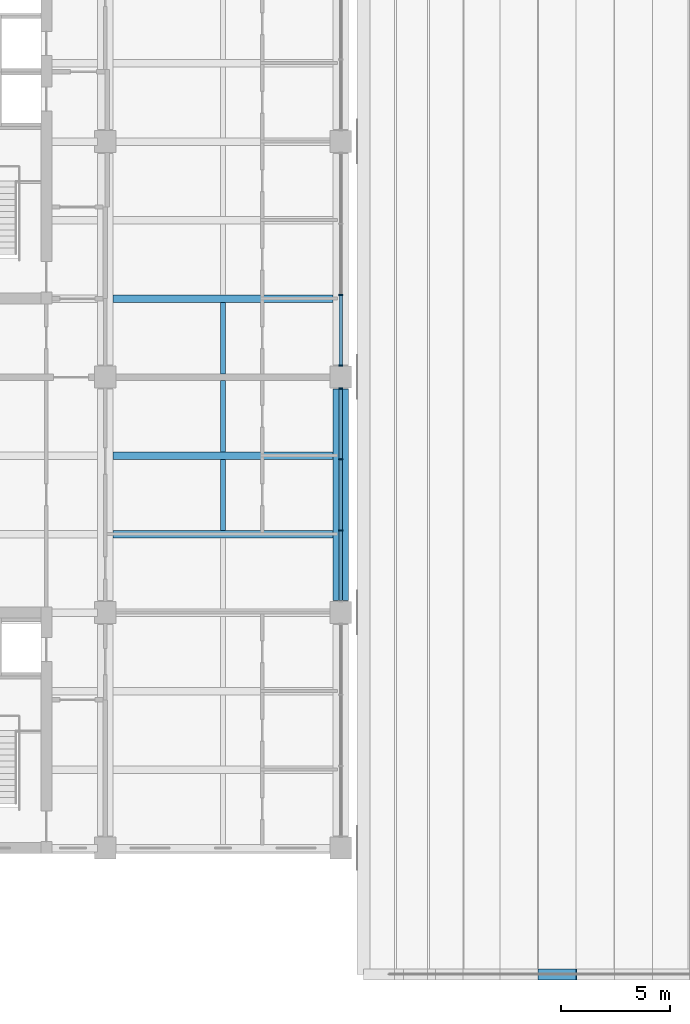
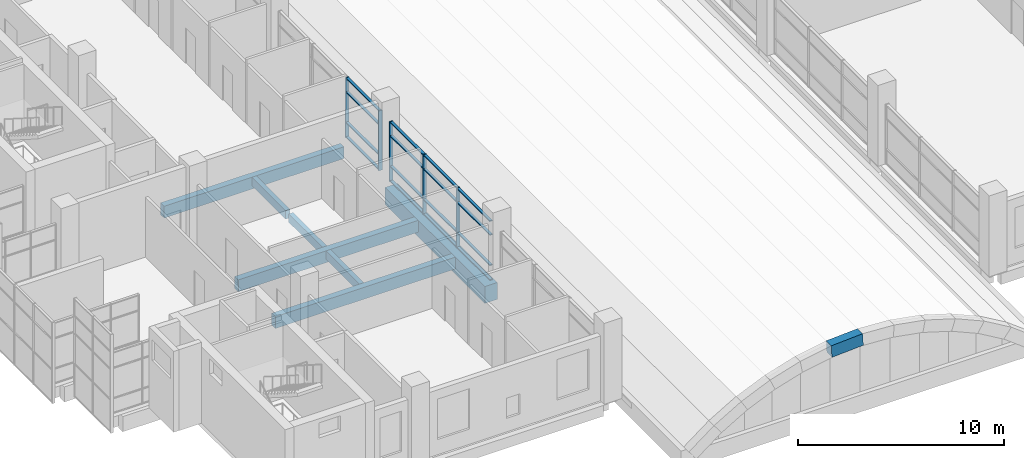
# One storey, part 5 of 45: 21 members, 8 beams, 2 elements without a shape of their own.
"""IFC4 building model written with IfcOpenShell, lengths in metres."""

from ifc_helpers import new_model, si_unit, direction, frame, origin, origin_2d, place, context, subcontext, project, spatial, rectangle, extrude, material, layer, layer_set, material_profile, profile_set, type_object, element, aggregate, save


model = new_model("IFC4")

# Units and contexts
model_context = context("Model", 3, precision=1e-05, world=origin(), true_north=direction((0.0, 1.0)))
body_context = subcontext(model_context, "Body", "Model", "MODEL_VIEW")
ifc_project = project(units=[si_unit("LENGTHUNIT", "METRE"), si_unit("AREAUNIT", "SQUARE_METRE"), si_unit("VOLUMEUNIT", "CUBIC_METRE"), si_unit("PLANEANGLEUNIT", "RADIAN"), si_unit("MASSUNIT", "GRAM", prefix="KILO")], contexts=[model_context])

# Site, building, storey
site_placement = place(None, origin())
site = spatial("IfcSite", under=ifc_project, at=site_placement, CompositionType="ELEMENT")
building_placement = place(site_placement, origin())
building = spatial("IfcBuilding", under=site, at=building_placement, Name="Basin Gate Institute", CompositionType="ELEMENT")
storey_placement = place(building_placement, frame((0.0, 0.0, 22.199951171875)))
storey = spatial("IfcBuildingStorey", under=building, at=storey_placement, Name="L04", CompositionType="ELEMENT", Elevation=22.199951171875)

# Beams
ifc_material_1 = material(Name="Concrete 40 MPa", Category="concrete")
ifc_material_profile_1 = material_profile(ifc_material_1, rectangle(XDim=0.35009765625, YDim=0.699951171875, at=origin_2d()), Name="Beam B1 350 x 700")
ifc_profile_set_1 = profile_set([ifc_material_profile_1], Name="Concrete 40 MPa")
beam_type_1 = type_object("IfcBeamType", Name="Beam B1 R120", PredefinedType="BEAM", material=ifc_profile_set_1)
for number, where, z_axis, x_axis, name in (
    (1, (68.75, 49.5, -0.599853515625), (1.0, 0.0, 0.0), (0.0, 1.0, 0.0), "BEAM/L04/W/EW/05"),
    (2, (68.75, 53.10009765625, -0.599853515625), (1.0, 0.0, 0.0), (0.0, 1.0, 0.0), "BEAM/L04/W/EW/06"),
    (3, (68.75, 60.300048828125, -0.599853515625), (1.0, 0.0, 0.0), (0.0, 1.0, 0.0), "BEAM/L04/W/EW/08"),
):
    element("IfcBeam", number, at=place(storey_placement, frame(where, z_axis=z_axis, x_axis=x_axis)), inside=storey, type_object=beam_type_1, material=ifc_profile_set_1, Name=name, PredefinedType="BEAM", context=body_context, shape_type="SweptSolid", body=[
        extrude(rectangle(XDim=0.35009765625, YDim=0.699951171875, at=origin_2d()), origin(), (0.0, 0.0, 1.0), 10.10009765625),
    ])
ifc_material_2 = material(Name="Concrete 50 MPa", Category="concrete")
ifc_material_profile_2 = material_profile(ifc_material_2, rectangle(XDim=0.699951171875, YDim=1.0, at=origin_2d()), Name="Girder G1 700 x 1000")
ifc_profile_set_2 = profile_set([ifc_material_profile_2], Name="Concrete 50 MPa")
beam_type_2 = type_object("IfcBeamType", Name="Girder G1 R120", PredefinedType="BEAM", material=ifc_profile_set_2)
beam_1_placement = place(storey_placement, frame((79.199951171875, 46.449951171875, -0.75), z_axis=(0.0, 1.0, 0.0), x_axis=(-1.0, 0.0, 0.0)))
element("IfcBeam", 4, at=beam_1_placement, inside=storey, type_object=beam_type_2, material=ifc_profile_set_2, Name="GIR/L04/W6/2", PredefinedType="BEAM", context=body_context, shape_type="SweptSolid", body=[
    extrude(rectangle(XDim=0.699951171875, YDim=1.0, at=origin_2d()), origin(), (0.0, 0.0, 1.0), 9.699951171875),
])

# Curtain wall, members
ifc_material_3 = material(Name="Aluminium-framed glazing", Category="aluminium")
ifc_layer = layer(ifc_material_3, 0.199951171875)
ifc_layer_set = layer_set([ifc_layer], Name="Atrium curtain wall CW2")
curtain_wall_type = type_object("IfcCurtainWallType", Name="Atrium curtain wall CW2", PredefinedType="NOTDEFINED", material=ifc_layer_set)
curtain_wall_1_placement = place(storey_placement, origin())
curtain_wall_1 = element("IfcCurtainWall", 5, at=curtain_wall_1_placement, inside=storey, type_object=curtain_wall_type, material=ifc_layer_set, Name="Atrium curtain wall W wing atrium bay 2 L04", PredefinedType="NOTDEFINED")
ifc_material_4 = material(Name="Aluminium", Category="aluminium")
ifc_material_profile_3 = material_profile(ifc_material_4, rectangle(XDim=0.199951171875, YDim=0.06005859375, at=origin_2d()), Name="Mullion MU2 200 x 60")
ifc_profile_set_3 = profile_set([ifc_material_profile_3], Name="Aluminium")
member_type_1 = type_object("IfcMemberType", Name="Mullion MU2", PredefinedType="MULLION", material=ifc_profile_set_3)
member_1_placement = place(storey_placement, frame((79.199951171875, 49.666748046875, 0.0), z_axis=(0.0, 0.0, 1.0), x_axis=(-1.0, 0.0, 0.0)))
member_1 = element("IfcMember", 6, at=member_1_placement, type_object=member_type_1, material=ifc_profile_set_3, Name="CW2 mullion 2", PredefinedType="MULLION", context=body_context, shape_type="SweptSolid", body=[
    extrude(rectangle(XDim=0.199951171875, YDim=0.06005859375, at=origin_2d()), origin(), (0.0, 0.0, 1.0), 3.550048828125),
])
member_2_placement = place(storey_placement, frame((79.199951171875, 52.933349609375, 0.0), z_axis=(0.0, 0.0, 1.0), x_axis=(-1.0, 0.0, 0.0)))
member_2 = element("IfcMember", 7, at=member_2_placement, type_object=member_type_1, material=ifc_profile_set_3, Name="CW2 mullion 3", PredefinedType="MULLION", context=body_context, shape_type="SweptSolid", body=[
    extrude(rectangle(XDim=0.199951171875, YDim=0.06005859375, at=origin_2d()), origin(), (0.0, 0.0, 1.0), 3.550048828125),
])
member_3_placement = place(storey_placement, frame((79.199951171875, 56.169921875, 0.0), z_axis=(0.0, 0.0, 1.0), x_axis=(-1.0, 0.0, 0.0)))
member_3 = element("IfcMember", 8, at=member_3_placement, type_object=member_type_1, material=ifc_profile_set_3, Name="CW2 mullion 4", PredefinedType="MULLION", context=body_context, shape_type="SweptSolid", body=[
    extrude(rectangle(XDim=0.199951171875, YDim=0.06005859375, at=origin_2d()), origin(), (0.0, 0.0, 1.0), 3.550048828125),
])

curtain_wall_2_placement = place(storey_placement, origin())
curtain_wall_2 = element("IfcCurtainWall", 9, at=curtain_wall_2_placement, inside=storey, type_object=curtain_wall_type, material=ifc_layer_set, Name="Atrium curtain wall W wing atrium bay 3 L04", PredefinedType="NOTDEFINED")
member_4_placement = place(storey_placement, frame((79.199951171875, 57.22998046875, 0.0), z_axis=(0.0, 0.0, 1.0), x_axis=(-1.0, 0.0, 0.0)))
member_4 = element("IfcMember", 10, at=member_4_placement, type_object=member_type_1, material=ifc_profile_set_3, Name="CW2 mullion 1", PredefinedType="MULLION", context=body_context, shape_type="SweptSolid", body=[
    extrude(rectangle(XDim=0.199951171875, YDim=0.06005859375, at=origin_2d()), origin(), (0.0, 0.0, 1.0), 3.550048828125),
])
member_5_placement = place(storey_placement, frame((79.199951171875, 60.466552734375, 0.0), z_axis=(0.0, 0.0, 1.0), x_axis=(-1.0, 0.0, 0.0)))
member_5 = element("IfcMember", 11, at=member_5_placement, type_object=member_type_1, material=ifc_profile_set_3, Name="CW2 mullion 2", PredefinedType="MULLION", context=body_context, shape_type="SweptSolid", body=[
    extrude(rectangle(XDim=0.199951171875, YDim=0.06005859375, at=origin_2d()), origin(), (0.0, 0.0, 1.0), 3.550048828125),
])

# Beams
ifc_material_5 = material(Name="Concrete 40 MPa", Category="concrete")
ifc_material_profile_4 = material_profile(ifc_material_5, rectangle(XDim=0.25, YDim=0.5, at=origin_2d()), Name="Rib R1 250 x 500")
ifc_profile_set_4 = profile_set([ifc_material_profile_4], Name="Concrete 40 MPa")
beam_type_3 = type_object("IfcBeamType", Name="Rib R1 R120", PredefinedType="JOIST", material=ifc_profile_set_4)
beam_2_placement = place(storey_placement, frame((73.800048828125, 49.675048828125, -0.5), z_axis=(0.0, 1.0, 0.0), x_axis=(-1.0, 0.0, 0.0)))
element("IfcBeam", 12, at=beam_2_placement, inside=storey, type_object=beam_type_3, material=ifc_profile_set_4, Name="BEAM/L04/W/RIB/05", PredefinedType="JOIST", context=body_context, shape_type="SweptSolid", body=[
    extrude(rectangle(XDim=0.25, YDim=0.5, at=origin_2d()), origin(), (0.0, 0.0, 1.0), 3.25),
])
beam_3_placement = place(storey_placement, frame((73.800048828125, 53.27490234375, -0.5), z_axis=(0.0, 1.0, 0.0), x_axis=(-1.0, 0.0, 0.0)))
element("IfcBeam", 13, at=beam_3_placement, inside=storey, type_object=beam_type_3, material=ifc_profile_set_4, Name="BEAM/L04/W/RIB/06", PredefinedType="JOIST", context=body_context, shape_type="SweptSolid", body=[
    extrude(rectangle(XDim=0.25, YDim=0.5, at=origin_2d()), origin(), (0.0, 0.0, 1.0), 3.275146484375),
])
beam_4_placement = place(storey_placement, frame((73.800048828125, 56.85009765625, -0.5), z_axis=(0.0, 1.0, 0.0), x_axis=(-1.0, 0.0, 0.0)))
element("IfcBeam", 14, at=beam_4_placement, inside=storey, type_object=beam_type_3, material=ifc_profile_set_4, Name="BEAM/L04/W/RIB/07", PredefinedType="JOIST", context=body_context, shape_type="SweptSolid", body=[
    extrude(rectangle(XDim=0.25, YDim=0.5, at=origin_2d()), origin(), (0.0, 0.0, 1.0), 3.27490234375),
])
ifc_material_6 = material(Name="Concrete 40 MPa", Category="concrete")
ifc_material_profile_5 = material_profile(ifc_material_6, rectangle(XDim=0.5, YDim=0.699951171875, at=origin_2d()), Name="Shell arch rib SR1 500 x 700")
ifc_profile_set_5 = profile_set([ifc_material_profile_5], Name="Concrete 40 MPa")
beam_type_4 = type_object("IfcBeamType", Name="Shell arch rib SR1 R120", PredefinedType="BEAM", material=ifc_profile_set_5)
beam_5_placement = place(storey_placement, frame((88.256103515625, 29.300048828125, 3.14697265625), z_axis=(0.99826817729, 0.0, 0.05882725737), x_axis=(0.0, 1.0, 0.0)))
element("IfcBeam", 15, at=beam_5_placement, inside=storey, type_object=beam_type_4, material=ifc_profile_set_5, Name="Atrium shell end rib 1 segment 6", PredefinedType="BEAM", context=body_context, shape_type="SweptSolid", body=[
    extrude(rectangle(XDim=0.5, YDim=0.699951171875, at=origin_2d()), origin(), (0.0, 0.0, 1.0), 1.76806640625),
])

# Member
ifc_material_7 = material(Name="Aluminium", Category="aluminium")
ifc_material_profile_6 = material_profile(ifc_material_7, rectangle(XDim=0.14990234375, YDim=0.06005859375, at=origin_2d()), Name="Transom TR2 150 x 60")
ifc_profile_set_6 = profile_set([ifc_material_profile_6], Name="Aluminium")
member_type_2 = type_object("IfcMemberType", Name="Transom TR2", PredefinedType="USERDEFINED", material=ifc_profile_set_6)
member_6_placement = place(storey_placement, frame((79.199951171875, 46.4599609375, 0.030029296875), z_axis=(0.0, 1.0, 0.0), x_axis=(-1.0, 0.0, 0.0)))
member_6 = element("IfcMember", 16, at=member_6_placement, type_object=member_type_2, material=ifc_profile_set_6, Name="CW2 transom 1.1", ObjectType="TRANSOM", PredefinedType="USERDEFINED", context=body_context, shape_type="SweptSolid", body=[
    extrude(rectangle(XDim=0.14990234375, YDim=0.06005859375, at=origin_2d()), origin(), (0.0, 0.0, 1.0), 3.1767578125),
])

member_7_placement = place(storey_placement, frame((79.199951171875, 46.4599609375, 0.900146484375), z_axis=(0.0, 1.0, 0.0), x_axis=(-1.0, 0.0, 0.0)))
member_7 = element("IfcMember", 17, at=member_7_placement, type_object=member_type_2, material=ifc_profile_set_6, Name="CW2 transom 1.2", ObjectType="TRANSOM", PredefinedType="USERDEFINED", context=body_context, shape_type="SweptSolid", body=[
    extrude(rectangle(XDim=0.14990234375, YDim=0.06005859375, at=origin_2d()), origin(), (0.0, 0.0, 1.0), 3.1767578125),
])

member_8_placement = place(storey_placement, frame((79.199951171875, 46.4599609375, 2.699951171875), z_axis=(0.0, 1.0, 0.0), x_axis=(-1.0, 0.0, 0.0)))
member_8 = element("IfcMember", 18, at=member_8_placement, type_object=member_type_2, material=ifc_profile_set_6, Name="CW2 transom 1.3", ObjectType="TRANSOM", PredefinedType="USERDEFINED", context=body_context, shape_type="SweptSolid", body=[
    extrude(rectangle(XDim=0.14990234375, YDim=0.06005859375, at=origin_2d()), origin(), (0.0, 0.0, 1.0), 3.1767578125),
])

member_9_placement = place(storey_placement, frame((79.199951171875, 46.4599609375, 3.52001953125), z_axis=(0.0, 1.0, 0.0), x_axis=(-1.0, 0.0, 0.0)))
member_9 = element("IfcMember", 19, at=member_9_placement, type_object=member_type_2, material=ifc_profile_set_6, Name="CW2 transom 1.4", ObjectType="TRANSOM", PredefinedType="USERDEFINED", context=body_context, shape_type="SweptSolid", body=[
    extrude(rectangle(XDim=0.14990234375, YDim=0.06005859375, at=origin_2d()), origin(), (0.0, 0.0, 1.0), 3.1767578125),
])

member_10_placement = place(storey_placement, frame((79.199951171875, 49.69677734375, 0.030029296875), z_axis=(0.0, 1.0, 0.0), x_axis=(-1.0, 0.0, 0.0)))
member_10 = element("IfcMember", 20, at=member_10_placement, type_object=member_type_2, material=ifc_profile_set_6, Name="CW2 transom 2.1", ObjectType="TRANSOM", PredefinedType="USERDEFINED", context=body_context, shape_type="SweptSolid", body=[
    extrude(rectangle(XDim=0.14990234375, YDim=0.06005859375, at=origin_2d()), origin(), (0.0, 0.0, 1.0), 3.20654296875),
])

member_11_placement = place(storey_placement, frame((79.199951171875, 49.69677734375, 0.900146484375), z_axis=(0.0, 1.0, 0.0), x_axis=(-1.0, 0.0, 0.0)))
member_11 = element("IfcMember", 21, at=member_11_placement, type_object=member_type_2, material=ifc_profile_set_6, Name="CW2 transom 2.2", ObjectType="TRANSOM", PredefinedType="USERDEFINED", context=body_context, shape_type="SweptSolid", body=[
    extrude(rectangle(XDim=0.14990234375, YDim=0.06005859375, at=origin_2d()), origin(), (0.0, 0.0, 1.0), 3.20654296875),
])

member_12_placement = place(storey_placement, frame((79.199951171875, 49.69677734375, 2.699951171875), z_axis=(0.0, 1.0, 0.0), x_axis=(-1.0, 0.0, 0.0)))
member_12 = element("IfcMember", 22, at=member_12_placement, type_object=member_type_2, material=ifc_profile_set_6, Name="CW2 transom 2.3", ObjectType="TRANSOM", PredefinedType="USERDEFINED", context=body_context, shape_type="SweptSolid", body=[
    extrude(rectangle(XDim=0.14990234375, YDim=0.06005859375, at=origin_2d()), origin(), (0.0, 0.0, 1.0), 3.20654296875),
])

member_13_placement = place(storey_placement, frame((79.199951171875, 49.69677734375, 3.52001953125), z_axis=(0.0, 1.0, 0.0), x_axis=(-1.0, 0.0, 0.0)))
member_13 = element("IfcMember", 23, at=member_13_placement, type_object=member_type_2, material=ifc_profile_set_6, Name="CW2 transom 2.4", ObjectType="TRANSOM", PredefinedType="USERDEFINED", context=body_context, shape_type="SweptSolid", body=[
    extrude(rectangle(XDim=0.14990234375, YDim=0.06005859375, at=origin_2d()), origin(), (0.0, 0.0, 1.0), 3.20654296875),
])

member_14_placement = place(storey_placement, frame((79.199951171875, 52.96337890625, 0.030029296875), z_axis=(0.0, 1.0, 0.0), x_axis=(-1.0, 0.0, 0.0)))
member_14 = element("IfcMember", 24, at=member_14_placement, type_object=member_type_2, material=ifc_profile_set_6, Name="CW2 transom 3.1", ObjectType="TRANSOM", PredefinedType="USERDEFINED", context=body_context, shape_type="SweptSolid", body=[
    extrude(rectangle(XDim=0.14990234375, YDim=0.06005859375, at=origin_2d()), origin(), (0.0, 0.0, 1.0), 3.176513671875),
])

member_15_placement = place(storey_placement, frame((79.199951171875, 52.96337890625, 0.900146484375), z_axis=(0.0, 1.0, 0.0), x_axis=(-1.0, 0.0, 0.0)))
member_15 = element("IfcMember", 25, at=member_15_placement, type_object=member_type_2, material=ifc_profile_set_6, Name="CW2 transom 3.2", ObjectType="TRANSOM", PredefinedType="USERDEFINED", context=body_context, shape_type="SweptSolid", body=[
    extrude(rectangle(XDim=0.14990234375, YDim=0.06005859375, at=origin_2d()), origin(), (0.0, 0.0, 1.0), 3.176513671875),
])

member_16_placement = place(storey_placement, frame((79.199951171875, 52.96337890625, 2.699951171875), z_axis=(0.0, 1.0, 0.0), x_axis=(-1.0, 0.0, 0.0)))
member_16 = element("IfcMember", 26, at=member_16_placement, type_object=member_type_2, material=ifc_profile_set_6, Name="CW2 transom 3.3", ObjectType="TRANSOM", PredefinedType="USERDEFINED", context=body_context, shape_type="SweptSolid", body=[
    extrude(rectangle(XDim=0.14990234375, YDim=0.06005859375, at=origin_2d()), origin(), (0.0, 0.0, 1.0), 3.176513671875),
])

member_17_placement = place(storey_placement, frame((79.199951171875, 52.96337890625, 3.52001953125), z_axis=(0.0, 1.0, 0.0), x_axis=(-1.0, 0.0, 0.0)))
member_17 = element("IfcMember", 27, at=member_17_placement, type_object=member_type_2, material=ifc_profile_set_6, Name="CW2 transom 3.4", ObjectType="TRANSOM", PredefinedType="USERDEFINED", context=body_context, shape_type="SweptSolid", body=[
    extrude(rectangle(XDim=0.14990234375, YDim=0.06005859375, at=origin_2d()), origin(), (0.0, 0.0, 1.0), 3.176513671875),
])

aggregate(curtain_wall_1, [member_1, member_2, member_3, member_6, member_7, member_8, member_9, member_10, member_11, member_12, member_13, member_14, member_15, member_16, member_17])

member_18_placement = place(storey_placement, frame((79.199951171875, 57.260009765625, 0.030029296875), z_axis=(0.0, 1.0, 0.0), x_axis=(-1.0, 0.0, 0.0)))
member_18 = element("IfcMember", 28, at=member_18_placement, type_object=member_type_2, material=ifc_profile_set_6, Name="CW2 transom 1.1", ObjectType="TRANSOM", PredefinedType="USERDEFINED", context=body_context, shape_type="SweptSolid", body=[
    extrude(rectangle(XDim=0.14990234375, YDim=0.06005859375, at=origin_2d()), origin(), (0.0, 0.0, 1.0), 3.1767578125),
])

member_19_placement = place(storey_placement, frame((79.199951171875, 57.260009765625, 0.900146484375), z_axis=(0.0, 1.0, 0.0), x_axis=(-1.0, 0.0, 0.0)))
member_19 = element("IfcMember", 29, at=member_19_placement, type_object=member_type_2, material=ifc_profile_set_6, Name="CW2 transom 1.2", ObjectType="TRANSOM", PredefinedType="USERDEFINED", context=body_context, shape_type="SweptSolid", body=[
    extrude(rectangle(XDim=0.14990234375, YDim=0.06005859375, at=origin_2d()), origin(), (0.0, 0.0, 1.0), 3.1767578125),
])

member_20_placement = place(storey_placement, frame((79.199951171875, 57.260009765625, 2.699951171875), z_axis=(0.0, 1.0, 0.0), x_axis=(-1.0, 0.0, 0.0)))
member_20 = element("IfcMember", 30, at=member_20_placement, type_object=member_type_2, material=ifc_profile_set_6, Name="CW2 transom 1.3", ObjectType="TRANSOM", PredefinedType="USERDEFINED", context=body_context, shape_type="SweptSolid", body=[
    extrude(rectangle(XDim=0.14990234375, YDim=0.06005859375, at=origin_2d()), origin(), (0.0, 0.0, 1.0), 3.1767578125),
])

member_21_placement = place(storey_placement, frame((79.199951171875, 57.260009765625, 3.52001953125), z_axis=(0.0, 1.0, 0.0), x_axis=(-1.0, 0.0, 0.0)))
member_21 = element("IfcMember", 31, at=member_21_placement, type_object=member_type_2, material=ifc_profile_set_6, Name="CW2 transom 1.4", ObjectType="TRANSOM", PredefinedType="USERDEFINED", context=body_context, shape_type="SweptSolid", body=[
    extrude(rectangle(XDim=0.14990234375, YDim=0.06005859375, at=origin_2d()), origin(), (0.0, 0.0, 1.0), 3.1767578125),
])

aggregate(curtain_wall_2, [member_4, member_5, member_18, member_19, member_20, member_21])

save(model, "model.ifc")
